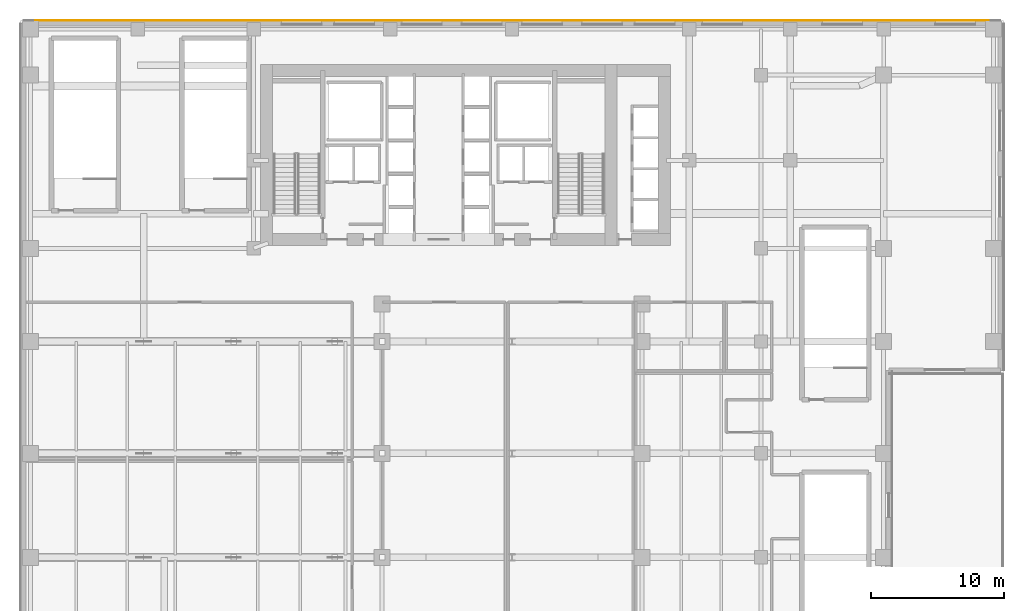
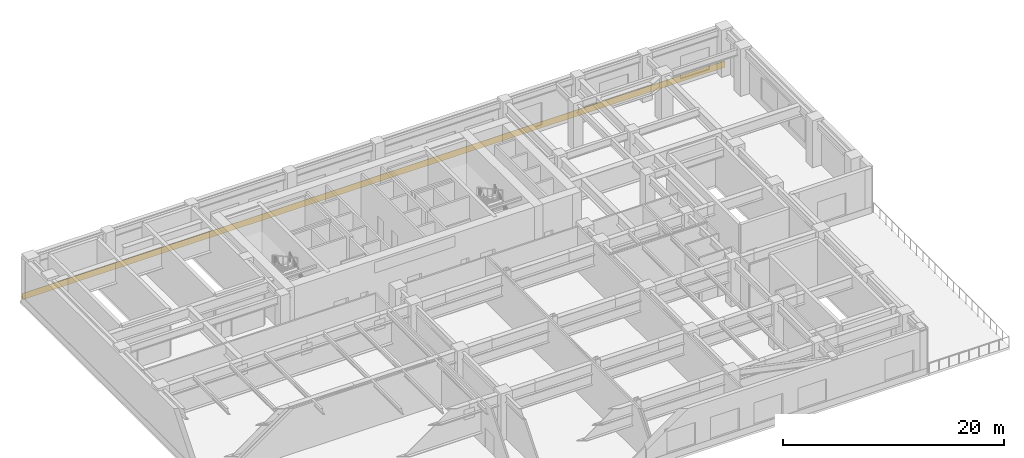
# One storey, part 13 of 14: 1 covering.
"""IFC4 building model written with IfcOpenShell, lengths in metres."""

from ifc_helpers import new_model, si_unit, direction, frame, origin, place, context, subcontext, project, spatial, polyline, outline, extrude, material, layer, layer_set, type_object, element, save


model = new_model("IFC4")

# Units and contexts
model_context = context("Model", 3, precision=1e-05, world=origin(), true_north=direction((0.0, 1.0)))
body_context = subcontext(model_context, "Body", "Model", "MODEL_VIEW")
ifc_project = project(units=[si_unit("LENGTHUNIT", "METRE"), si_unit("AREAUNIT", "SQUARE_METRE"), si_unit("VOLUMEUNIT", "CUBIC_METRE"), si_unit("PLANEANGLEUNIT", "RADIAN"), si_unit("MASSUNIT", "GRAM", prefix="KILO")], contexts=[model_context])

# Site, building, storey
site_placement = place(None, origin())
site = spatial("IfcSite", under=ifc_project, at=site_placement, CompositionType="ELEMENT")
building_placement = place(site_placement, origin())
building = spatial("IfcBuilding", under=site, at=building_placement, Name="Tolvann Quenvar Hotel", CompositionType="ELEMENT")
storey_placement = place(building_placement, frame((0.0, 0.0, 26.800048828125)))
storey = spatial("IfcBuildingStorey", under=building, at=storey_placement, Name="L05", CompositionType="ELEMENT", Elevation=26.800048828125)

# Covering
ifc_material = material(Name="Moulded buff architectural terracotta spandrel cladding", Category="masonry")
ifc_layer = layer(ifc_material, 0.0400390625)
ifc_layer_set = layer_set([ifc_layer], Name="Moulded buff architectural terracotta spandrel cladding")
covering_type = type_object("IfcCoveringType", Name="COV_CLAD_TERRA_40", PredefinedType="CLADDING", material=ifc_layer_set)
covering_placement = place(storey_placement, origin())
element("IfcCovering", 1, at=covering_placement, inside=storey, type_object=covering_type, Name="Terracotta Spandrel Cladding (L05-E04)", PredefinedType="CLADDING", context=body_context, shape_type="SweptSolid", body=[
    extrude(outline(polyline([(65.14990234375, 48.5), (-8.14990234375, 48.5), (-8.14990234375, 48.5400390625), (65.14990234375, 48.5400390625), (65.14990234375, 48.5)])), origin(), (0.0, 0.0, 1.0), 0.699951171875),
])

save(model, "model.ifc")
